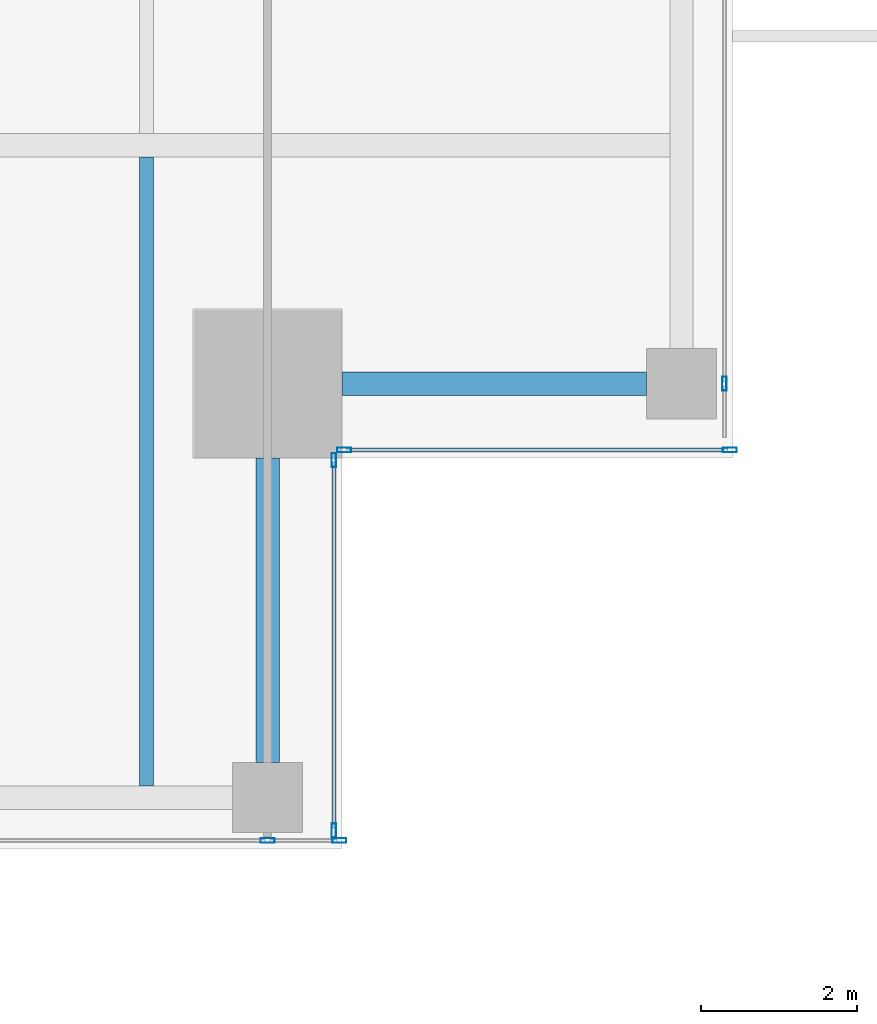
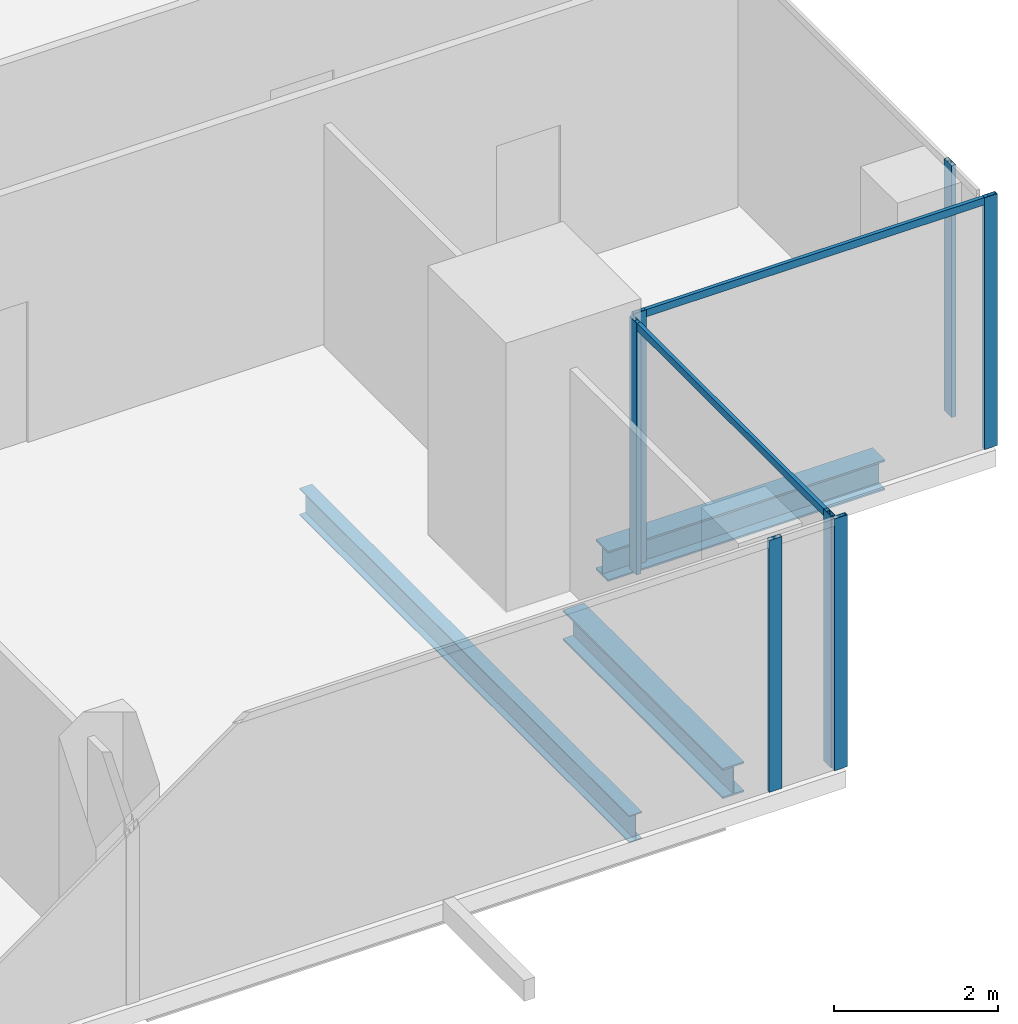
# One storey, part 10 of 34: 9 members, 3 beams, 4 elements without a shape of their own.
"""IFC4 building model written with IfcOpenShell, lengths in metres."""

from ifc_helpers import new_model, si_unit, direction, frame, origin, origin_2d, place, context, subcontext, project, spatial, hollow_rectangle, i_section, extrude, source, transform, mapped, material, material_profile, profile_set, type_object, element, aggregate, save


model = new_model("IFC4")

# Units and contexts
model_context = context("Model", 3, precision=1e-05, world=origin(), true_north=direction((0.0, 1.0)))
body_context = subcontext(model_context, "Body", "Model", "MODEL_VIEW")
ifc_project = project(units=[si_unit("LENGTHUNIT", "METRE"), si_unit("AREAUNIT", "SQUARE_METRE"), si_unit("VOLUMEUNIT", "CUBIC_METRE"), si_unit("PLANEANGLEUNIT", "RADIAN"), si_unit("MASSUNIT", "GRAM", prefix="KILO")], contexts=[model_context])

# Site, building, storey
site_placement = place(None, origin())
site = spatial("IfcSite", under=ifc_project, at=site_placement, CompositionType="ELEMENT")
building_placement = place(site_placement, origin())
building = spatial("IfcBuilding", under=site, at=building_placement, Name="Khomas Fold Tower", CompositionType="ELEMENT")
storey_placement = place(building_placement, frame((0.0, 0.0, 242.199951171875)))
storey = spatial("IfcBuildingStorey", under=building, at=storey_placement, Name="L54", CompositionType="ELEMENT", Elevation=242.199951171875)

# Beams
ifc_material_1 = material(Name="Steel S355", Category="steel")
ifc_material_profile_1 = material_profile(ifc_material_1, i_section(OverallWidth=0.300048828125, OverallDepth=0.449951171875, WebThickness=0.013916015625, FlangeThickness=0.02587890625, at=origin_2d()), Name="HE 450 B")
ifc_profile_set_1 = profile_set([ifc_material_profile_1], Name="Steel S355")
beam_type_1 = type_object("IfcBeamType", Name="HE 450 B spandrel SB4", PredefinedType="SPANDREL", material=ifc_profile_set_1)
shared_shape_1 = source(origin(), body_context, "Body", "SweptSolid", [
    extrude(i_section(OverallWidth=0.300048828125, OverallDepth=0.449951171875, WebThickness=0.013916015625, FlangeThickness=0.02587890625, at=origin_2d()), origin(), (0.0, 0.0, 1.0), 3.89990234375),
])
for number, where, z_axis, x_axis, name in (
    (1, (43.550048828125, 5.60009765625, -0.474853515625), (0.0, 1.0, 0.0), (-1.0, 0.0, 0.0), "SB4"),
    (2, (44.5, 10.449951171875, -0.474853515625), (1.0, 0.0, 0.0), (0.0, 1.0, 0.0), "SB4"),
):
    element("IfcBeam", number, at=place(storey_placement, frame(where, z_axis=z_axis, x_axis=x_axis)), inside=storey, type_object=beam_type_1, Name=name, PredefinedType="SPANDREL", context=body_context, shape_type="MappedRepresentation", body=[
        mapped(shared_shape_1, transform((0.0, 0.0, 0.0))),
    ])
ifc_material_2 = material(Name="Steel S355", Category="steel")
ifc_material_profile_2 = material_profile(ifc_material_2, i_section(OverallWidth=0.179931640625, OverallDepth=0.39990234375, WebThickness=0.008544921875, FlangeThickness=0.013427734375, at=origin_2d()), Name="IPE 400")
ifc_profile_set_2 = profile_set([ifc_material_profile_2], Name="Steel S355")
beam_type_2 = type_object("IfcBeamType", Name="IPE 400 beam JB3", PredefinedType="BEAM", material=ifc_profile_set_2)
shared_shape_2 = source(origin(), body_context, "Body", "SweptSolid", [
    extrude(i_section(OverallWidth=0.179931640625, OverallDepth=0.39990234375, WebThickness=0.008544921875, FlangeThickness=0.013427734375, at=origin_2d()), origin(), (0.0, 0.0, 1.0), 8.050048828125),
])
beam_placement = place(storey_placement, frame((42.0, 5.300048828125, -0.449951171875), z_axis=(0.0, 1.0, 0.0), x_axis=(-1.0, 0.0, 0.0)))
element("IfcBeam", 3, at=beam_placement, inside=storey, type_object=beam_type_2, Name="JB3", PredefinedType="BEAM", context=body_context, shape_type="MappedRepresentation", body=[
    mapped(shared_shape_2, transform((0.0, 0.0, 0.0))),
])

# Curtain wall, members
ifc_material_3 = material(Name="Aluminium framed double glazing", Category="aluminium")
curtain_wall_type = type_object("IfcCurtainWallType", Name="SK-Unitised clear-glass wall, office floors CW2", PredefinedType="NOTDEFINED", material=ifc_material_3)
curtain_wall_1_placement = place(storey_placement, origin())
curtain_wall_1 = element("IfcCurtainWall", 4, at=curtain_wall_1_placement, inside=storey, type_object=curtain_wall_type, Name="CW2 run L54 00-0", PredefinedType="NOTDEFINED")
ifc_material_4 = material(Name="Aluminium", Category="aluminium")
ifc_material_profile_3 = material_profile(ifc_material_4, hollow_rectangle(XDim=0.06005859375, YDim=0.179931640625, WallThickness=0.00390625, at=origin_2d()), Name="SK-Unitised clear-glass wall, office floors mullion CW2-M")
ifc_profile_set_3 = profile_set([ifc_material_profile_3], Name="Aluminium")
member_type_1 = type_object("IfcMemberType", Name="SK-Unitised clear-glass wall, office floors mullion CW2-M", PredefinedType="MULLION", material=ifc_profile_set_3)
shared_shape_3 = source(origin(), body_context, "Body", "SweptSolid", [
    extrude(hollow_rectangle(XDim=0.06005859375, YDim=0.179931640625, WallThickness=0.00390625, at=origin_2d()), origin(), (0.0, 0.0, 1.0), 3.75),
])
member_1_placement = place(storey_placement, frame((43.550048828125, 4.60009765625, 0.0), z_axis=(0.0, 0.0, 1.0), x_axis=(0.0, 1.0, 0.0)))
member_1 = element("IfcMember", 5, at=member_1_placement, type_object=member_type_1, Name="CW2 mullion 6", PredefinedType="MULLION", context=body_context, shape_type="MappedRepresentation", body=[
    mapped(shared_shape_3, transform((0.0, 0.0, 0.0))),
])
member_2_placement = place(storey_placement, frame((44.469970703125, 4.60009765625, 0.0), z_axis=(0.0, 0.0, 1.0), x_axis=(0.0, 1.0, 0.0)))
member_2 = element("IfcMember", 6, at=member_2_placement, type_object=member_type_1, Name="CW2 mullion 7", PredefinedType="MULLION", context=body_context, shape_type="MappedRepresentation", body=[
    mapped(shared_shape_3, transform((0.0, 0.0, 0.0))),
])
aggregate(curtain_wall_1, [member_1, member_2])

curtain_wall_2_placement = place(storey_placement, origin())
curtain_wall_2 = element("IfcCurtainWall", 7, at=curtain_wall_2_placement, inside=storey, type_object=curtain_wall_type, Name="CW2 corner return L54 01", PredefinedType="NOTDEFINED")
member_3_placement = place(storey_placement, frame((44.39990234375, 4.72998046875, 0.0), z_axis=(0.0, 0.0, 1.0), x_axis=(-1.0, 0.0, 0.0)))
member_3 = element("IfcMember", 8, at=member_3_placement, type_object=member_type_1, Name="CW2 mullion 1", PredefinedType="MULLION", context=body_context, shape_type="MappedRepresentation", body=[
    mapped(shared_shape_3, transform((0.0, 0.0, 0.0))),
])
member_4_placement = place(storey_placement, frame((44.39990234375, 9.469970703125, 0.0), z_axis=(0.0, 0.0, 1.0), x_axis=(-1.0, 0.0, 0.0)))
member_4 = element("IfcMember", 9, at=member_4_placement, type_object=member_type_1, Name="CW2 mullion 2", PredefinedType="MULLION", context=body_context, shape_type="MappedRepresentation", body=[
    mapped(shared_shape_3, transform((0.0, 0.0, 0.0))),
])

curtain_wall_3_placement = place(storey_placement, origin())
curtain_wall_3 = element("IfcCurtainWall", 10, at=curtain_wall_3_placement, inside=storey, type_object=curtain_wall_type, Name="CW2 corner return L54 02", PredefinedType="NOTDEFINED")
member_5_placement = place(storey_placement, frame((44.530029296875, 9.60009765625, 0.0), z_axis=(0.0, 0.0, 1.0), x_axis=(0.0, 1.0, 0.0)))
member_5 = element("IfcMember", 11, at=member_5_placement, type_object=member_type_1, Name="CW2 mullion 1", PredefinedType="MULLION", context=body_context, shape_type="MappedRepresentation", body=[
    mapped(shared_shape_3, transform((0.0, 0.0, 0.0))),
])
member_6_placement = place(storey_placement, frame((49.469970703125, 9.60009765625, 0.0), z_axis=(0.0, 0.0, 1.0), x_axis=(0.0, 1.0, 0.0)))
member_6 = element("IfcMember", 12, at=member_6_placement, type_object=member_type_1, Name="CW2 mullion 2", PredefinedType="MULLION", context=body_context, shape_type="MappedRepresentation", body=[
    mapped(shared_shape_3, transform((0.0, 0.0, 0.0))),
])

# Curtain wall, member
curtain_wall_4_placement = place(storey_placement, origin())
curtain_wall_4 = element("IfcCurtainWall", 13, at=curtain_wall_4_placement, inside=storey, type_object=curtain_wall_type, Name="CW2 run L54 03-0", PredefinedType="NOTDEFINED")
member_7_placement = place(storey_placement, frame((49.39990234375, 10.449951171875, 0.0), z_axis=(0.0, 0.0, 1.0), x_axis=(-1.0, 0.0, 0.0)))
member_7 = element("IfcMember", 14, at=member_7_placement, type_object=member_type_1, Name="CW2 mullion 2", PredefinedType="MULLION", context=body_context, shape_type="MappedRepresentation", body=[
    mapped(shared_shape_3, transform((0.0, 0.0, 0.0))),
])
aggregate(curtain_wall_4, [member_7])

# Member
ifc_material_5 = material(Name="Aluminium", Category="aluminium")
ifc_material_profile_4 = material_profile(ifc_material_5, hollow_rectangle(XDim=0.050048828125, YDim=0.110107421875, WallThickness=0.00390625, at=origin_2d()), Name="SK-Unitised clear-glass wall, office floors transom CW2-T")
ifc_profile_set_4 = profile_set([ifc_material_profile_4], Name="Aluminium")
member_type_2 = type_object("IfcMemberType", Name="SK-Unitised clear-glass wall, office floors transom CW2-T", PredefinedType="USERDEFINED", material=ifc_profile_set_4)
shared_shape_4 = source(origin(), body_context, "Body", "SweptSolid", [
    extrude(hollow_rectangle(XDim=0.050048828125, YDim=0.110107421875, WallThickness=0.00390625, at=origin_2d()), origin(), (0.0, 0.0, 1.0), 4.679931640625),
])
member_8_placement = place(storey_placement, frame((44.39990234375, 4.760009765625, 3.695068359375), z_axis=(0.0, 1.0, 0.0), x_axis=(-1.0, 0.0, 0.0)))
member_8 = element("IfcMember", 15, at=member_8_placement, type_object=member_type_2, Name="CW2 transom 1", ObjectType="TRANSOM", PredefinedType="USERDEFINED", context=body_context, shape_type="MappedRepresentation", body=[
    mapped(shared_shape_4, transform((0.0, 0.0, 0.0))),
])

aggregate(curtain_wall_2, [member_3, member_4, member_8])

shared_shape_5 = source(origin(), body_context, "Body", "SweptSolid", [
    extrude(hollow_rectangle(XDim=0.050048828125, YDim=0.110107421875, WallThickness=0.00390625, at=origin_2d()), origin(), (0.0, 0.0, 1.0), 4.8798828125),
])
member_9_placement = place(storey_placement, frame((44.56005859375, 9.60009765625, 3.695068359375), z_axis=(1.0, 0.0, 0.0), x_axis=(0.0, 1.0, 0.0)))
member_9 = element("IfcMember", 16, at=member_9_placement, type_object=member_type_2, Name="CW2 transom 1", ObjectType="TRANSOM", PredefinedType="USERDEFINED", context=body_context, shape_type="MappedRepresentation", body=[
    mapped(shared_shape_5, transform((0.0, 0.0, 0.0))),
])

aggregate(curtain_wall_3, [member_5, member_6, member_9])

save(model, "model.ifc")
